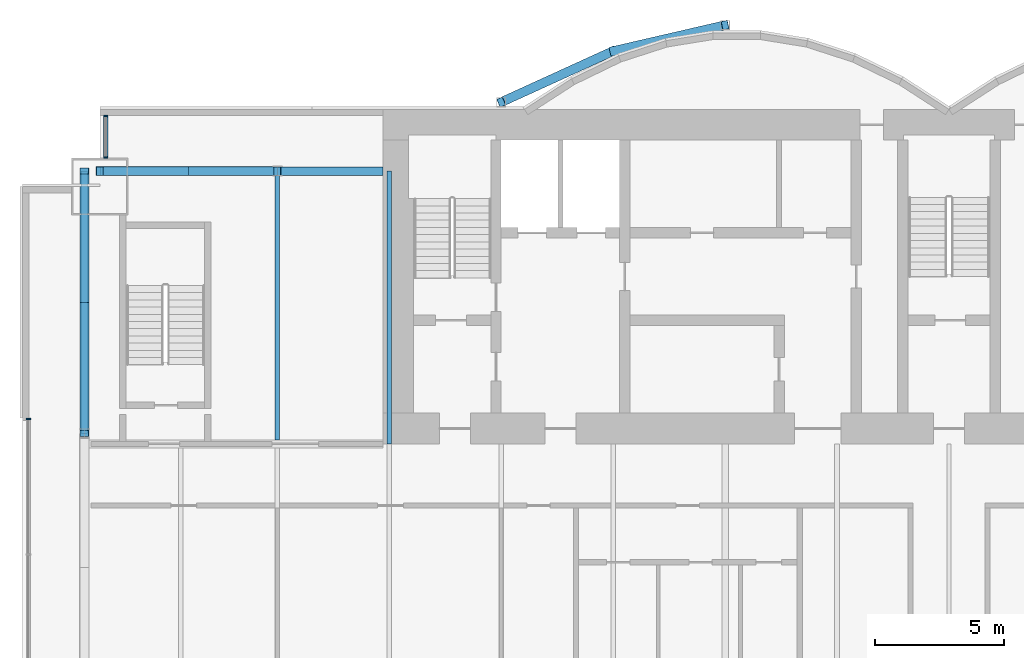
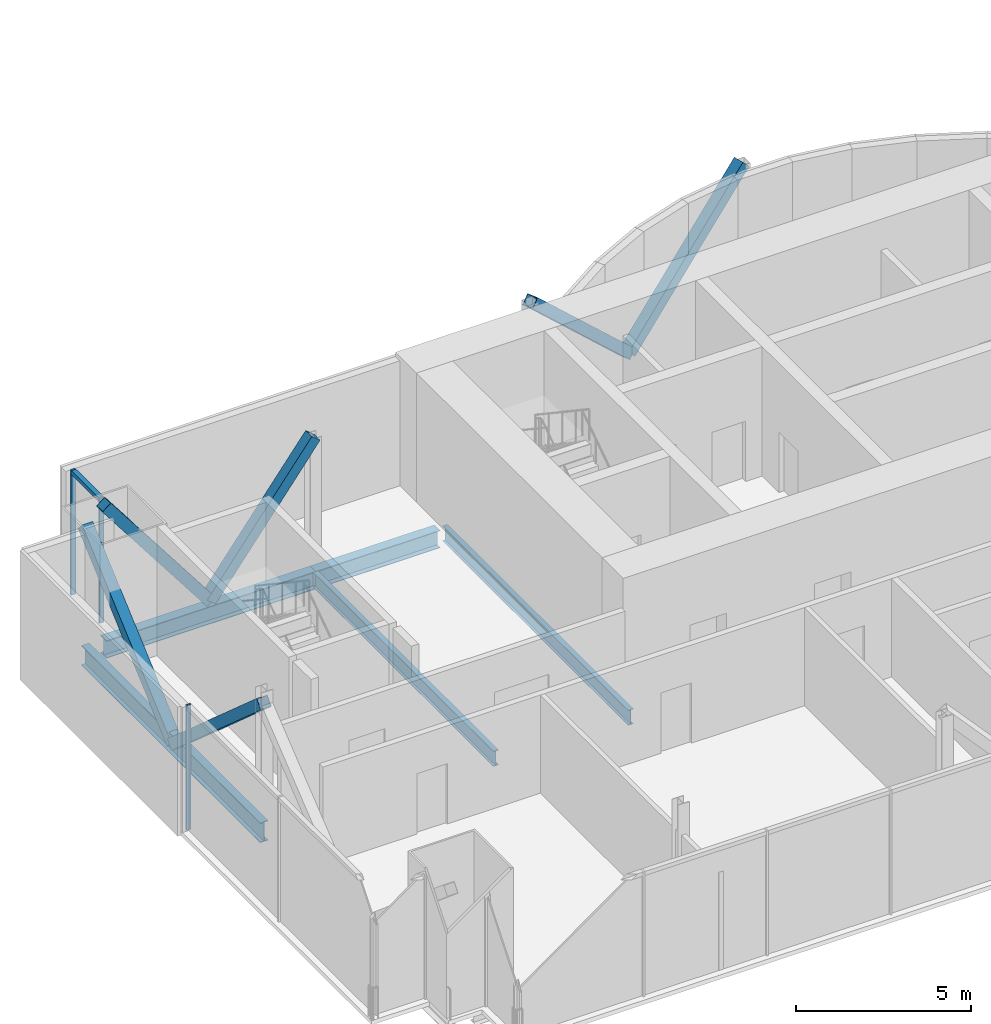
# One storey, part 6 of 17: 10 members, 5 beams, 2 elements without a shape of their own.
"""IFC4 building model written with IfcOpenShell, lengths in metres."""

from ifc_helpers import new_model, si_unit, direction, frame, origin, origin_2d, place, context, subcontext, project, spatial, rectangle, hollow_rectangle, i_section, extrude, material, material_profile, profile_set, type_object, element, aggregate, save


model = new_model("IFC4")

# Units and contexts
model_context = context("Model", 3, precision=1e-05, world=origin(), true_north=direction((0.0, 1.0)))
body_context = subcontext(model_context, "Body", "Model", "MODEL_VIEW")
ifc_project = project(units=[si_unit("LENGTHUNIT", "METRE"), si_unit("AREAUNIT", "SQUARE_METRE"), si_unit("VOLUMEUNIT", "CUBIC_METRE"), si_unit("PLANEANGLEUNIT", "RADIAN"), si_unit("MASSUNIT", "GRAM", prefix="KILO")], contexts=[model_context])

# Site, building, storey
site_placement = place(None, origin())
site = spatial("IfcSite", under=ifc_project, at=site_placement, CompositionType="ELEMENT")
building_placement = place(site_placement, origin())
building = spatial("IfcBuilding", under=site, at=building_placement, Name="Bicima Exchange Tower", CompositionType="ELEMENT")
storey_placement = place(building_placement, frame((0.0, 0.0, 320.0)))
storey = spatial("IfcBuildingStorey", under=building, at=storey_placement, Name="L72", CompositionType="ELEMENT", Elevation=320.0)

# Curtain wall, member
ifc_material_1 = material(Name="Anodised bronze aluminium", Category="aluminium")
curtain_wall_type_1 = type_object("IfcCurtainWallType", Name="End face glass wall", PredefinedType="NOTDEFINED", material=ifc_material_1)
curtain_wall_1_placement = place(storey_placement, origin())
curtain_wall_1 = element("IfcCurtainWall", 1, at=curtain_wall_1_placement, inside=storey, type_object=curtain_wall_type_1, Name="End face glass wall L72 run 2", PredefinedType="NOTDEFINED")
ifc_material_profile_1 = material_profile(ifc_material_1, rectangle(XDim=0.159912109375, YDim=0.06005859375, at=origin_2d()))
ifc_profile_set_1 = profile_set([ifc_material_profile_1], Name="Anodised bronze aluminium")
member_type_1 = type_object("IfcMemberType", Name="End face glass wall mullion 60 x 160", PredefinedType="MULLION", material=ifc_profile_set_1)
member_1_placement = place(storey_placement, frame((-35.77001953125, -12.030029296875, 0.0), z_axis=(0.0, 0.0, 1.0), x_axis=(1.0, 0.0, 0.0)))
member_1 = element("IfcMember", 2, at=member_1_placement, type_object=member_type_1, Name="End face glass wall mullion 1", PredefinedType="MULLION", context=body_context, shape_type="SweptSolid", body=[
    extrude(rectangle(XDim=0.159912109375, YDim=0.06005859375, at=origin_2d()), origin(), (0.0, 0.0, 1.0), 4.35009765625),
])
aggregate(curtain_wall_1, [member_1])

# Beams
ifc_material_2 = material(Name="Steel ASTM A992 Gr 50", Category="steel")
ifc_material_profile_2 = material_profile(ifc_material_2, i_section(OverallWidth=0.256591796875, OverallDepth=0.693359375, WebThickness=0.014404296875, FlangeThickness=0.023681640625, at=origin_2d()))
ifc_profile_set_2 = profile_set([ifc_material_profile_2], Name="Steel ASTM A992 Gr 50")
beam_type_1 = type_object("IfcBeamType", Name="End girder W27x114", PredefinedType="BEAM", material=ifc_profile_set_2)
beam_1_placement = place(storey_placement, frame((-33.60009765625, -2.39990234375, -0.49658203125), z_axis=(0.0, -1.0, 0.0), x_axis=(1.0, 0.0, 0.0)))
element("IfcBeam", 3, at=beam_1_placement, inside=storey, type_object=beam_type_1, Name="End girder", PredefinedType="BEAM", context=body_context, shape_type="SweptSolid", body=[
    extrude(i_section(OverallWidth=0.256591796875, OverallDepth=0.693359375, WebThickness=0.014404296875, FlangeThickness=0.023681640625, at=origin_2d()), origin(), (0.0, 0.0, 1.0), 10.2001953125),
])
ifc_material_profile_3 = material_profile(ifc_material_2, i_section(OverallWidth=0.165771484375, OverallDepth=0.5283203125, WebThickness=0.009765625, FlangeThickness=0.013671875, at=origin_2d()))
ifc_profile_set_3 = profile_set([ifc_material_profile_3], Name="Steel ASTM A992 Gr 50")
beam_type_2 = type_object("IfcBeamType", Name="Floor beam W21x50", PredefinedType="JOIST", material=ifc_profile_set_3)
beam_2_placement = place(storey_placement, frame((-26.10009765625, -2.5625, -0.414306640625), z_axis=(0.0, -1.0, 0.0), x_axis=(1.0, 0.0, 0.0)))
element("IfcBeam", 4, at=beam_2_placement, inside=storey, type_object=beam_type_2, Name="Floor beam", PredefinedType="JOIST", context=body_context, shape_type="SweptSolid", body=[
    extrude(i_section(OverallWidth=0.165771484375, OverallDepth=0.5283203125, WebThickness=0.009765625, FlangeThickness=0.013671875, at=origin_2d()), origin(), (0.0, 0.0, 1.0), 10.28515625),
])
beam_3_placement = place(storey_placement, frame((-21.75, -2.39990234375, -0.414306640625), z_axis=(0.0, -1.0, 0.0), x_axis=(1.0, 0.0, 0.0)))
element("IfcBeam", 5, at=beam_3_placement, inside=storey, type_object=beam_type_2, Name="Floor beam", PredefinedType="JOIST", context=body_context, shape_type="SweptSolid", body=[
    extrude(i_section(OverallWidth=0.165771484375, OverallDepth=0.5283203125, WebThickness=0.009765625, FlangeThickness=0.013671875, at=origin_2d()), origin(), (0.0, 0.0, 1.0), 10.60009765625),
])

# Curtain wall, members
curtain_wall_type_2 = type_object("IfcCurtainWallType", Name="Front glass wall", PredefinedType="NOTDEFINED", material=ifc_material_1)
curtain_wall_2_placement = place(storey_placement, origin())
curtain_wall_2 = element("IfcCurtainWall", 6, at=curtain_wall_2_placement, inside=storey, type_object=curtain_wall_type_2, Name="Front glass wall L72 run 1", PredefinedType="NOTDEFINED")
member_type_2 = type_object("IfcMemberType", Name="Front glass wall mullion 60 x 160", PredefinedType="MULLION", material=ifc_profile_set_1)
member_2_placement = place(storey_placement, frame((-32.77001953125, -0.260009765625, 0.0), z_axis=(0.0, 0.0, 1.0), x_axis=(1.0, 0.0, 0.0)))
member_2 = element("IfcMember", 7, at=member_2_placement, type_object=member_type_2, Name="Front glass wall mullion 1", PredefinedType="MULLION", context=body_context, shape_type="SweptSolid", body=[
    extrude(rectangle(XDim=0.159912109375, YDim=0.06005859375, at=origin_2d()), origin(), (0.0, 0.0, 1.0), 4.35009765625),
])
member_3_placement = place(storey_placement, frame((-32.77001953125, -1.8701171875, 0.0), z_axis=(0.0, 0.0, 1.0), x_axis=(1.0, 0.0, 0.0)))
member_3 = element("IfcMember", 8, at=member_3_placement, type_object=member_type_2, Name="Front glass wall mullion 2", PredefinedType="MULLION", context=body_context, shape_type="SweptSolid", body=[
    extrude(rectangle(XDim=0.159912109375, YDim=0.06005859375, at=origin_2d()), origin(), (0.0, 0.0, 1.0), 4.35009765625),
])
ifc_material_profile_4 = material_profile(ifc_material_1, rectangle(XDim=0.159912109375, YDim=0.139892578125, at=origin_2d()))
ifc_profile_set_4 = profile_set([ifc_material_profile_4], Name="Anodised bronze aluminium")
member_type_3 = type_object("IfcMemberType", Name="Front glass wall transom 140 x 160", PredefinedType="USERDEFINED", material=ifc_profile_set_4)
member_4_placement = place(storey_placement, frame((-32.77001953125, -0.2900390625, 4.280029296875), z_axis=(0.0, -1.0, 0.0), x_axis=(1.0, 0.0, 0.0)))
member_4 = element("IfcMember", 9, at=member_4_placement, type_object=member_type_3, Name="Front glass wall transom 1.1", ObjectType="TRANSOM", PredefinedType="USERDEFINED", context=body_context, shape_type="SweptSolid", body=[
    extrude(rectangle(XDim=0.159912109375, YDim=0.139892578125, at=origin_2d()), origin(), (0.0, 0.0, 1.0), 1.550048828125),
])
aggregate(curtain_wall_2, [member_2, member_3, member_4])

# Members
ifc_material_3 = material(Name="Steel ASTM A572 Gr 50", Category="steel")
ifc_material_profile_5 = material_profile(ifc_material_3, hollow_rectangle(XDim=0.355712890625, YDim=0.355712890625, WallThickness=0.01171875, at=origin_2d()))
ifc_profile_set_5 = profile_set([ifc_material_profile_5], Name="Steel ASTM A572 Gr 50")
member_type_4 = type_object("IfcMemberType", Name="Mega brace HSS14x14x1/2", PredefinedType="BRACE", material=ifc_profile_set_5)
member_5_placement = place(storey_placement, frame((-13.050048828125, 2.262451171875, 0.0), z_axis=(0.686212303743, 0.158786245837, 0.709858860848), x_axis=(-0.225438503722, 0.974257399787, 0.0)))
element("IfcMember", 10, at=member_5_placement, inside=storey, type_object=member_type_4, Name="Mega brace rexo", PredefinedType="BRACE", context=body_context, shape_type="SweptSolid", body=[
    extrude(hollow_rectangle(XDim=0.355712890625, YDim=0.355712890625, WallThickness=0.01171875, at=origin_2d()), origin(), (0.0, 0.0, 1.0), 6.33935546875),
])
member_6_placement = place(storey_placement, frame((-13.050048828125, 2.262451171875, 0.0), z_axis=(-0.662507516739, -0.302231638101, 0.685375683254), x_axis=(0.415045223819, -0.909800781592, 0.0)))
element("IfcMember", 11, at=member_6_placement, inside=storey, type_object=member_type_4, Name="Mega brace rexo", PredefinedType="BRACE", context=body_context, shape_type="SweptSolid", body=[
    extrude(hollow_rectangle(XDim=0.355712890625, YDim=0.355712890625, WallThickness=0.01171875, at=origin_2d()), origin(), (0.0, 0.0, 1.0), 6.565673828125),
])
for number, where, z_axis, x_axis, name in (
    (12, (-29.550048828125, -2.39990234375, 0.0), (0.608426120198, 0.0, 0.793610519248), (0.0, 1.0, 0.0), "Mega brace rear"),
    (13, (-29.550048828125, -2.39990234375, 0.0), (-0.608426120198, 0.0, 0.793610519248), (0.0, -1.0, 0.0), "Mega brace rear"),
):
    element("IfcMember", number, at=place(storey_placement, frame(where, z_axis=z_axis, x_axis=x_axis)), inside=storey, type_object=member_type_4, Name=name, PredefinedType="BRACE", context=body_context, shape_type="SweptSolid", body=[
        extrude(hollow_rectangle(XDim=0.355712890625, YDim=0.355712890625, WallThickness=0.01171875, at=origin_2d()), origin(), (0.0, 0.0, 1.0), 5.670166015625),
    ])
for number, where, z_axis, x_axis, name in (
    (14, (-33.60009765625, -7.5, -0.49658203125), (0.0, -0.749844140428, 0.661614513948), (1.0, 0.0, 0.0), "Mega brace west end"),
    (15, (-33.60009765625, -7.5, -0.49658203125), (0.0, 0.749844140428, 0.661614513948), (-1.0, 0.0, 0.0), "Mega brace west end"),
):
    element("IfcMember", number, at=place(storey_placement, frame(where, z_axis=z_axis, x_axis=x_axis)), inside=storey, type_object=member_type_4, Name=name, PredefinedType="BRACE", context=body_context, shape_type="SweptSolid", body=[
        extrude(hollow_rectangle(XDim=0.355712890625, YDim=0.355712890625, WallThickness=0.01171875, at=origin_2d()), origin(), (0.0, 0.0, 1.0), 6.801513671875),
    ])

# Beams
ifc_material_profile_6 = material_profile(ifc_material_2, i_section(OverallWidth=0.3251953125, OverallDepth=0.612060546875, WebThickness=0.0126953125, FlangeThickness=0.01904296875, at=origin_2d()))
ifc_profile_set_6 = profile_set([ifc_material_profile_6], Name="Steel ASTM A992 Gr 50")
beam_type_3 = type_object("IfcBeamType", Name="Rear girder W24x104", PredefinedType="BEAM", material=ifc_profile_set_6)
beam_4_placement = place(storey_placement, frame((-22.0, -2.39990234375, -0.4560546875), z_axis=(-1.0, 0.0, 0.0), x_axis=(0.0, -1.0, 0.0)))
element("IfcBeam", 16, at=beam_4_placement, inside=storey, type_object=beam_type_3, Name="Rear girder", PredefinedType="BEAM", context=body_context, shape_type="SweptSolid", body=[
    extrude(i_section(OverallWidth=0.3251953125, OverallDepth=0.612060546875, WebThickness=0.0126953125, FlangeThickness=0.01904296875, at=origin_2d()), origin(), (0.0, 0.0, 1.0), 4.10009765625),
])
beam_5_placement = place(storey_placement, frame((-26.10009765625, -2.39990234375, -0.4560546875), z_axis=(-1.0, 0.0, 0.0), x_axis=(0.0, -1.0, 0.0)))
element("IfcBeam", 17, at=beam_5_placement, inside=storey, type_object=beam_type_3, Name="Rear girder", PredefinedType="BEAM", context=body_context, shape_type="SweptSolid", body=[
    extrude(i_section(OverallWidth=0.3251953125, OverallDepth=0.612060546875, WebThickness=0.0126953125, FlangeThickness=0.01904296875, at=origin_2d()), origin(), (0.0, 0.0, 1.0), 6.89990234375),
])

save(model, "model.ifc")
